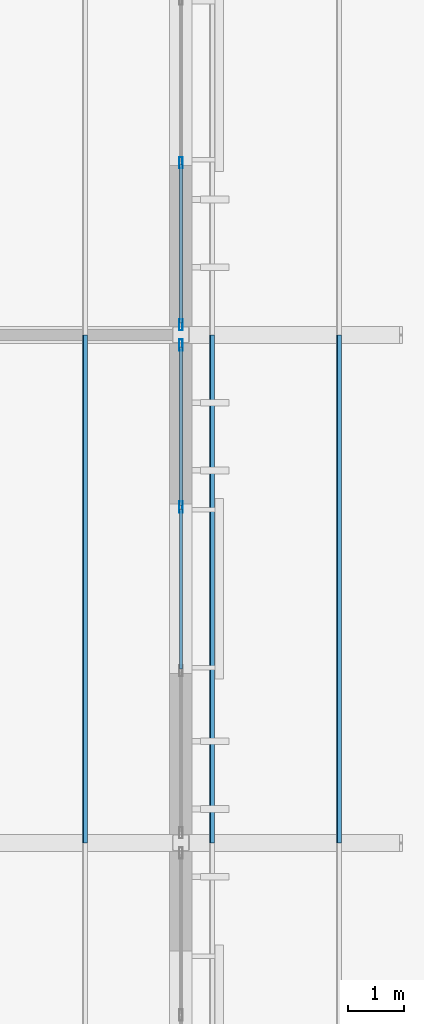
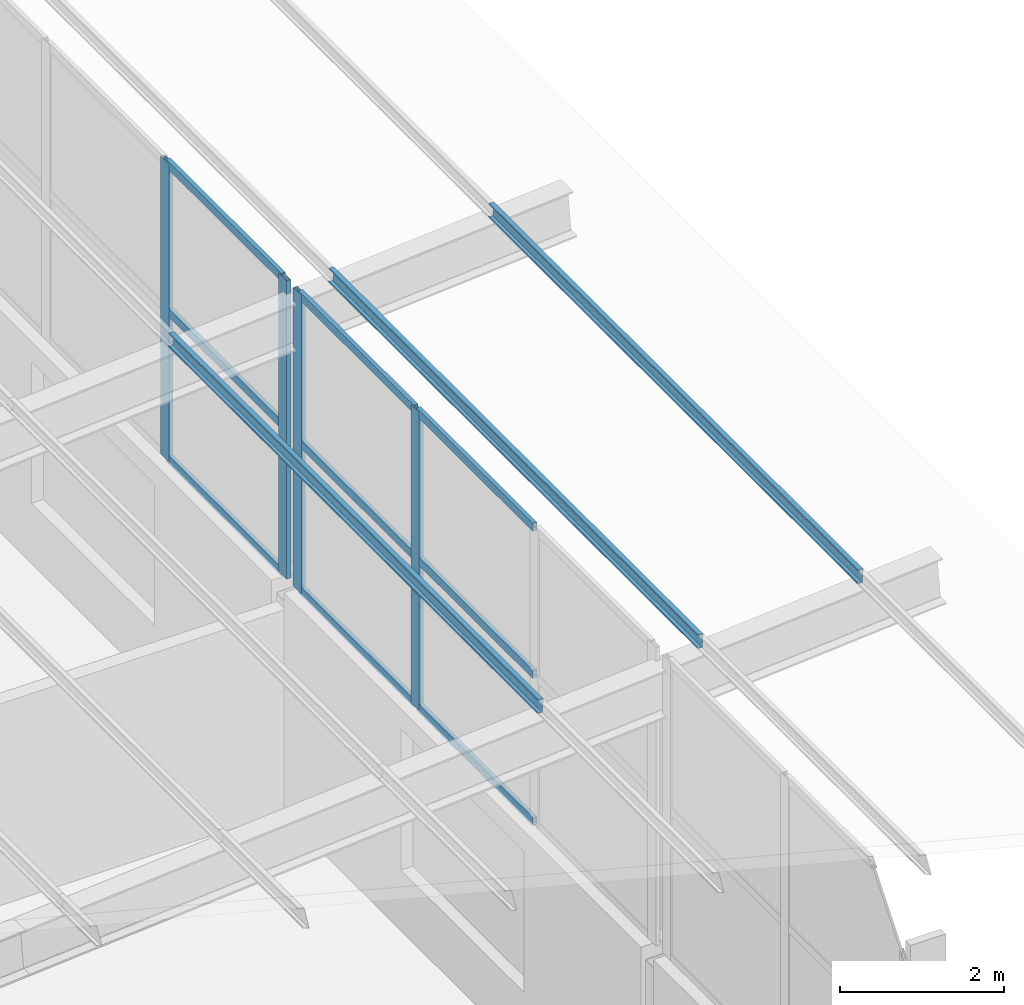
# One storey, part 43 of 85: 16 members, 2 elements without a shape of their own.
"""IFC4 building model written with IfcOpenShell, lengths in metres."""

from ifc_helpers import new_model, si_unit, direction, frame, origin, origin_2d, place, context, subcontext, project, spatial, polyline, hollow_rectangle, outline, extrude, material, layer, layer_set, material_profile, profile_set, type_object, element, aggregate, save


model = new_model("IFC4")

# Units and contexts
model_context = context("Model", 3, precision=1e-05, world=origin(), true_north=direction((0.0, 1.0)))
body_context = subcontext(model_context, "Body", "Model", "MODEL_VIEW")
ifc_project = project(units=[si_unit("LENGTHUNIT", "METRE"), si_unit("AREAUNIT", "SQUARE_METRE"), si_unit("VOLUMEUNIT", "CUBIC_METRE"), si_unit("PLANEANGLEUNIT", "RADIAN"), si_unit("MASSUNIT", "GRAM", prefix="KILO")], contexts=[model_context])

# Site, building, storey
site_placement = place(None, origin())
site = spatial("IfcSite", under=ifc_project, at=site_placement, CompositionType="ELEMENT")
building_placement = place(site_placement, origin())
building = spatial("IfcBuilding", under=site, at=building_placement, Name="Opaline Strait Convention Centre", CompositionType="ELEMENT")
storey_placement = place(building_placement, frame((0.0, 0.0, 17.0)))
storey = spatial("IfcBuildingStorey", under=building, at=storey_placement, Name="L03", CompositionType="ELEMENT", Elevation=17.0)

# Curtain wall, members
ifc_material_1 = material(Name="Aluminium framed double glazing", Category="aluminium")
ifc_layer = layer(ifc_material_1, 0.199951171875)
ifc_layer_set = layer_set([ifc_layer], Name="Aluminium framed double glazing")
curtain_wall_type = type_object("IfcCurtainWallType", Name="Curtain wall 3000 module unitised", PredefinedType="NOTDEFINED", material=ifc_layer_set)
curtain_wall_1_placement = place(storey_placement, origin())
curtain_wall_1 = element("IfcCurtainWall", 1, at=curtain_wall_1_placement, inside=storey, type_object=curtain_wall_type, Name="Clerestory curtain wall E L03 41/N", PredefinedType="NOTDEFINED")
ifc_material_2 = material(Name="Aluminium alloy 6063", Category="aluminium")
ifc_material_profile_1 = material_profile(ifc_material_2, hollow_rectangle(XDim=0.06005859375, YDim=0.199951171875, WallThickness=0.00390625, at=origin_2d()), Name="MULLION 60x200x4")
ifc_profile_set_1 = profile_set([ifc_material_profile_1], Name="Aluminium alloy 6063")
member_type_1 = type_object("IfcMemberType", Name="Curtain wall mullion 60 x 200", PredefinedType="MULLION", material=ifc_profile_set_1)
member_1_placement = place(storey_placement, frame((360.0, 113.949951171875, 3.300048828125), z_axis=(0.0, 0.0, 1.0), x_axis=(-1.0, 0.0, 0.0)))
member_1 = element("IfcMember", 2, at=member_1_placement, type_object=member_type_1, Name="MCWR1 mullion 3", PredefinedType="MULLION", context=body_context, shape_type="SweptSolid", body=[
    extrude(hollow_rectangle(XDim=0.06005859375, YDim=0.199951171875, WallThickness=0.00390625, at=origin_2d()), origin(), (0.0, 0.0, 1.0), 4.43603515625),
])
member_2_placement = place(storey_placement, frame((360.0, 116.820068359375, 3.300048828125), z_axis=(0.0, 0.0, 1.0), x_axis=(-1.0, 0.0, 0.0)))
member_2 = element("IfcMember", 3, at=member_2_placement, type_object=member_type_1, Name="MCWR1 mullion 4", PredefinedType="MULLION", context=body_context, shape_type="SweptSolid", body=[
    extrude(hollow_rectangle(XDim=0.06005859375, YDim=0.199951171875, WallThickness=0.00390625, at=origin_2d()), origin(), (0.0, 0.0, 1.0), 4.43603515625),
])

curtain_wall_2_placement = place(storey_placement, origin())
curtain_wall_2 = element("IfcCurtainWall", 4, at=curtain_wall_2_placement, inside=storey, type_object=curtain_wall_type, Name="Clerestory curtain wall E L03 41/P", PredefinedType="NOTDEFINED")
member_3_placement = place(storey_placement, frame((360.0, 117.179931640625, 3.300048828125), z_axis=(0.0, 0.0, 1.0), x_axis=(-1.0, 0.0, 0.0)))
member_3 = element("IfcMember", 5, at=member_3_placement, type_object=member_type_1, Name="MCWR1 mullion 1", PredefinedType="MULLION", context=body_context, shape_type="SweptSolid", body=[
    extrude(hollow_rectangle(XDim=0.06005859375, YDim=0.199951171875, WallThickness=0.00390625, at=origin_2d()), origin(), (0.0, 0.0, 1.0), 4.43603515625),
])
member_4_placement = place(storey_placement, frame((360.0, 120.050048828125, 3.300048828125), z_axis=(0.0, 0.0, 1.0), x_axis=(-1.0, 0.0, 0.0)))
member_4 = element("IfcMember", 6, at=member_4_placement, type_object=member_type_1, Name="MCWR1 mullion 2", PredefinedType="MULLION", context=body_context, shape_type="SweptSolid", body=[
    extrude(hollow_rectangle(XDim=0.06005859375, YDim=0.199951171875, WallThickness=0.00390625, at=origin_2d()), origin(), (0.0, 0.0, 1.0), 4.43603515625),
])

# Member
ifc_material_profile_2 = material_profile(ifc_material_2, hollow_rectangle(XDim=0.06005859375, YDim=0.1201171875, WallThickness=0.0029296875, at=origin_2d()), Name="TRANSOM 60x120x3")
ifc_profile_set_2 = profile_set([ifc_material_profile_2], Name="Aluminium alloy 6063")
member_type_2 = type_object("IfcMemberType", Name="Curtain wall transom 60 x 120", PredefinedType="USERDEFINED", material=ifc_profile_set_2)
member_5_placement = place(storey_placement, frame((360.0, 111.080078125, 3.330078125), z_axis=(0.0, 1.0, 0.0), x_axis=(-1.0, 0.0, 0.0)))
member_5 = element("IfcMember", 7, at=member_5_placement, type_object=member_type_2, Name="MCWR1 transom 2.1", ObjectType="TRANSOM", PredefinedType="USERDEFINED", context=body_context, shape_type="SweptSolid", body=[
    extrude(hollow_rectangle(XDim=0.06005859375, YDim=0.1201171875, WallThickness=0.0029296875, at=origin_2d()), origin(), (0.0, 0.0, 1.0), 2.83984375),
])

member_6_placement = place(storey_placement, frame((360.0, 111.080078125, 5.51806640625), z_axis=(0.0, 1.0, 0.0), x_axis=(-1.0, 0.0, 0.0)))
member_6 = element("IfcMember", 8, at=member_6_placement, type_object=member_type_2, Name="MCWR1 transom 2.2", ObjectType="TRANSOM", PredefinedType="USERDEFINED", context=body_context, shape_type="SweptSolid", body=[
    extrude(hollow_rectangle(XDim=0.06005859375, YDim=0.1201171875, WallThickness=0.0029296875, at=origin_2d()), origin(), (0.0, 0.0, 1.0), 2.83984375),
])

member_7_placement = place(storey_placement, frame((360.0, 111.080078125, 7.7060546875), z_axis=(0.0, 1.0, 0.0), x_axis=(-1.0, 0.0, 0.0)))
member_7 = element("IfcMember", 9, at=member_7_placement, type_object=member_type_2, Name="MCWR1 transom 2.3", ObjectType="TRANSOM", PredefinedType="USERDEFINED", context=body_context, shape_type="SweptSolid", body=[
    extrude(hollow_rectangle(XDim=0.06005859375, YDim=0.1201171875, WallThickness=0.0029296875, at=origin_2d()), origin(), (0.0, 0.0, 1.0), 2.83984375),
])

member_8_placement = place(storey_placement, frame((360.0, 113.97998046875, 3.330078125), z_axis=(0.0, 1.0, 0.0), x_axis=(-1.0, 0.0, 0.0)))
member_8 = element("IfcMember", 10, at=member_8_placement, type_object=member_type_2, Name="MCWR1 transom 3.1", ObjectType="TRANSOM", PredefinedType="USERDEFINED", context=body_context, shape_type="SweptSolid", body=[
    extrude(hollow_rectangle(XDim=0.06005859375, YDim=0.1201171875, WallThickness=0.0029296875, at=origin_2d()), origin(), (0.0, 0.0, 1.0), 2.81005859375),
])

member_9_placement = place(storey_placement, frame((360.0, 113.97998046875, 5.51806640625), z_axis=(0.0, 1.0, 0.0), x_axis=(-1.0, 0.0, 0.0)))
member_9 = element("IfcMember", 11, at=member_9_placement, type_object=member_type_2, Name="MCWR1 transom 3.2", ObjectType="TRANSOM", PredefinedType="USERDEFINED", context=body_context, shape_type="SweptSolid", body=[
    extrude(hollow_rectangle(XDim=0.06005859375, YDim=0.1201171875, WallThickness=0.0029296875, at=origin_2d()), origin(), (0.0, 0.0, 1.0), 2.81005859375),
])

member_10_placement = place(storey_placement, frame((360.0, 113.97998046875, 7.7060546875), z_axis=(0.0, 1.0, 0.0), x_axis=(-1.0, 0.0, 0.0)))
member_10 = element("IfcMember", 12, at=member_10_placement, type_object=member_type_2, Name="MCWR1 transom 3.3", ObjectType="TRANSOM", PredefinedType="USERDEFINED", context=body_context, shape_type="SweptSolid", body=[
    extrude(hollow_rectangle(XDim=0.06005859375, YDim=0.1201171875, WallThickness=0.0029296875, at=origin_2d()), origin(), (0.0, 0.0, 1.0), 2.81005859375),
])

aggregate(curtain_wall_1, [member_1, member_2, member_5, member_6, member_7, member_8, member_9, member_10])

member_11_placement = place(storey_placement, frame((360.0, 117.2099609375, 3.330078125), z_axis=(0.0, 1.0, 0.0), x_axis=(-1.0, 0.0, 0.0)))
member_11 = element("IfcMember", 13, at=member_11_placement, type_object=member_type_2, Name="MCWR1 transom 1.1", ObjectType="TRANSOM", PredefinedType="USERDEFINED", context=body_context, shape_type="SweptSolid", body=[
    extrude(hollow_rectangle(XDim=0.06005859375, YDim=0.1201171875, WallThickness=0.0029296875, at=origin_2d()), origin(), (0.0, 0.0, 1.0), 2.81005859375),
])

member_12_placement = place(storey_placement, frame((360.0, 117.2099609375, 5.51806640625), z_axis=(0.0, 1.0, 0.0), x_axis=(-1.0, 0.0, 0.0)))
member_12 = element("IfcMember", 14, at=member_12_placement, type_object=member_type_2, Name="MCWR1 transom 1.2", ObjectType="TRANSOM", PredefinedType="USERDEFINED", context=body_context, shape_type="SweptSolid", body=[
    extrude(hollow_rectangle(XDim=0.06005859375, YDim=0.1201171875, WallThickness=0.0029296875, at=origin_2d()), origin(), (0.0, 0.0, 1.0), 2.81005859375),
])

member_13_placement = place(storey_placement, frame((360.0, 117.2099609375, 7.7060546875), z_axis=(0.0, 1.0, 0.0), x_axis=(-1.0, 0.0, 0.0)))
member_13 = element("IfcMember", 15, at=member_13_placement, type_object=member_type_2, Name="MCWR1 transom 1.3", ObjectType="TRANSOM", PredefinedType="USERDEFINED", context=body_context, shape_type="SweptSolid", body=[
    extrude(hollow_rectangle(XDim=0.06005859375, YDim=0.1201171875, WallThickness=0.0029296875, at=origin_2d()), origin(), (0.0, 0.0, 1.0), 2.81005859375),
])

aggregate(curtain_wall_2, [member_3, member_4, member_11, member_12, member_13])

# Members
ifc_material_3 = material(Name="Steel Q355B", Category="steel")
ifc_material_profile_3 = material_profile(ifc_material_3, outline(polyline([(-0.034912109375, -0.10009765625), (0.034912109375, -0.10009765625), (0.034912109375, -0.080078125), (0.032470703125, -0.080078125), (0.032470703125, -0.097412109375), (-0.032470703125, -0.097412109375), (-0.032470703125, 0.097412109375), (0.032470703125, 0.097412109375), (0.032470703125, 0.080078125), (0.034912109375, 0.080078125), (0.034912109375, 0.10009765625), (-0.034912109375, 0.10009765625), (-0.034912109375, -0.10009765625)])), Name="C 200x70x20x2.5")
ifc_profile_set_3 = profile_set([ifc_material_profile_3], Name="Steel Q355B")
member_type_3 = type_object("IfcMemberType", Name="Roof purlin C 200x70x20x2.5", PredefinedType="PURLIN", material=ifc_profile_set_3)
for number, where, z_axis, x_axis, name in (
    (16, (358.300048828125, 108.0, 7.501953125), (0.0, 1.0, 0.0), (-0.996917333733, 0.0, 0.078459095728), "MRP1 purlin E wing 373"),
    (17, (360.550048828125, 108.0, 7.678955078125), (0.0, 1.0, 0.0), (-0.996917333733, 0.0, 0.078459095728), "MRP1 purlin E wing 383"),
    (18, (362.800048828125, 108.0, 7.856201171875), (0.0, 1.0, 0.0), (-0.996917333733, 0.0, 0.078459095728), "MRP1 purlin E wing 393"),
):
    element("IfcMember", number, at=place(storey_placement, frame(where, z_axis=z_axis, x_axis=x_axis)), inside=storey, type_object=member_type_3, Name=name, PredefinedType="PURLIN", context=body_context, shape_type="SweptSolid", body=[
        extrude(outline(polyline([(-0.034912109375, -0.10009765625), (0.034912109375, -0.10009765625), (0.034912109375, -0.080078125), (0.032470703125, -0.080078125), (0.032470703125, -0.097412109375), (-0.032470703125, -0.097412109375), (-0.032470703125, 0.097412109375), (0.032470703125, 0.097412109375), (0.032470703125, 0.080078125), (0.034912109375, 0.080078125), (0.034912109375, 0.10009765625), (-0.034912109375, 0.10009765625), (-0.034912109375, -0.10009765625)])), origin(), (0.0, 0.0, 1.0), 9.0),
    ])

save(model, "model.ifc")
